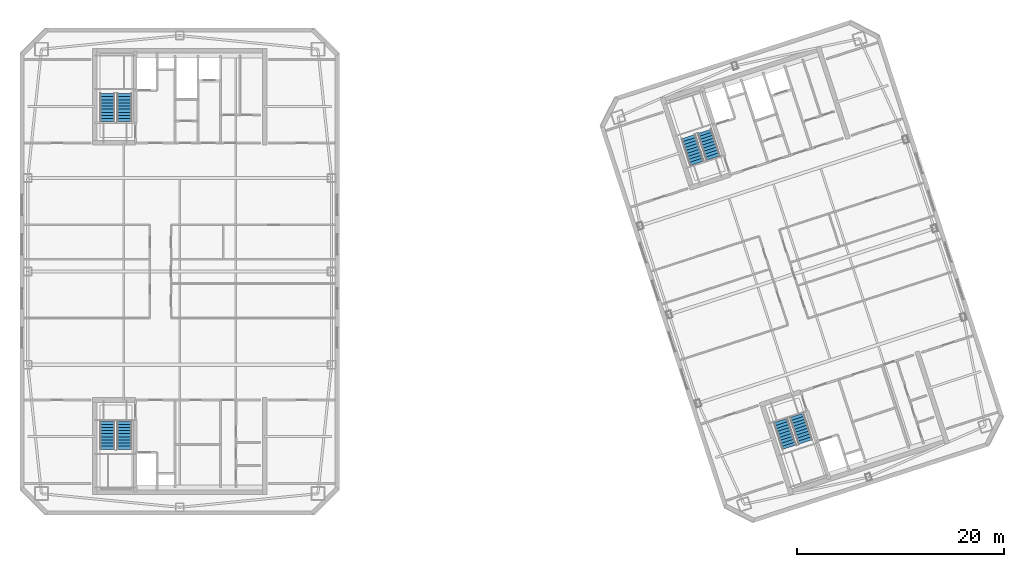
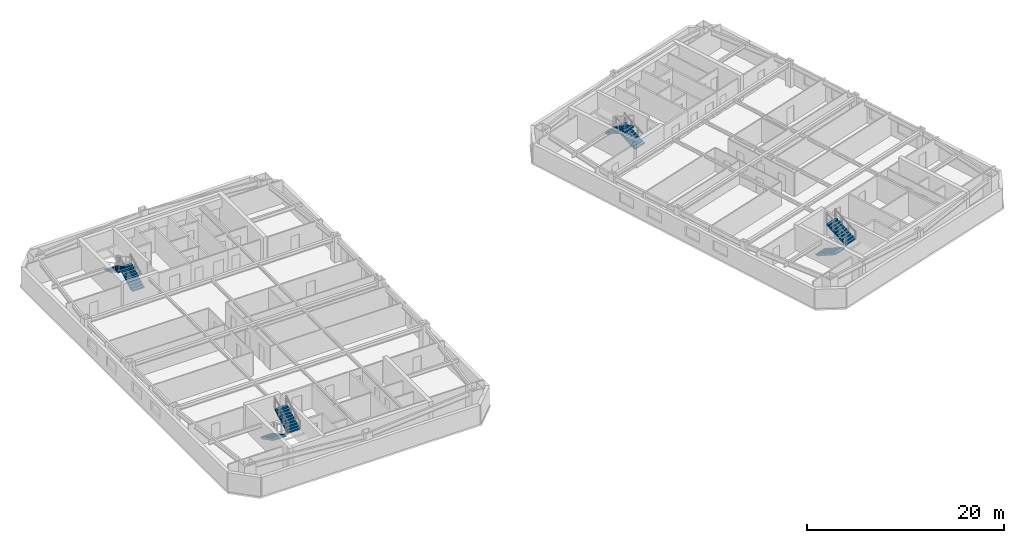
# One storey, part 11 of 13: 8 stair flights, 4 elements without a shape of their own.
"""IFC4 building model written with IfcOpenShell, lengths in metres."""

from ifc_helpers import new_model, si_unit, direction, frame, origin, place, context, subcontext, project, spatial, polyline, outline, extrude, material, type_object, element, aggregate, save


model = new_model("IFC4")

# Units and contexts
model_context = context("Model", 3, precision=1e-05, world=origin(), true_north=direction((0.0, 1.0)))
body_context = subcontext(model_context, "Body", "Model", "MODEL_VIEW")
ifc_project = project(units=[si_unit("LENGTHUNIT", "METRE"), si_unit("AREAUNIT", "SQUARE_METRE"), si_unit("VOLUMEUNIT", "CUBIC_METRE"), si_unit("PLANEANGLEUNIT", "RADIAN"), si_unit("MASSUNIT", "GRAM", prefix="KILO")], contexts=[model_context])

# Site, building, storey
site_placement = place(None, origin())
site = spatial("IfcSite", under=ifc_project, at=site_placement, CompositionType="ELEMENT")
building_placement = place(site_placement, origin())
building = spatial("IfcBuilding", under=site, at=building_placement, Name="Qiaolan Cultural Towers", CompositionType="ELEMENT")
storey_placement = place(building_placement, frame((0.0, 0.0, 234.39990234375)))
storey = spatial("IfcBuildingStorey", under=building, at=storey_placement, Name="L63", CompositionType="ELEMENT", Elevation=234.39990234375)

# Stair, stair flights
ifc_material_1 = material(Name="Concrete C45", Category="concrete")
stair_type = type_object("IfcStairType", Name="STR-CORE-1500", PredefinedType="HALF_TURN_STAIR", material=ifc_material_1)
stair_1_placement = place(storey_placement, origin())
stair_1 = element("IfcStair", 1, at=stair_1_placement, inside=storey, type_object=stair_type, Name="L63 Smokeproof Exit Stair ST-W1", PredefinedType="HALF_TURN_STAIR")
ifc_material_2 = material(Name="Concrete C45", Category="concrete")
stair_flight_type = type_object("IfcStairFlightType", Name="STR-CORE-1500-FL", PredefinedType="STRAIGHT", material=ifc_material_2)
stair_flight_1_placement = place(storey_placement, frame((23.02001953125, 19.550048828125, 0.0), z_axis=(0.0, 0.0, 1.0), x_axis=(0.0, -1.0, 0.0)))
stair_flight_1 = element("IfcStairFlight", 2, at=stair_flight_1_placement, type_object=stair_flight_type, Name="ST-W1 flight 1", NumberOfRisers=10, NumberOfTreads=9, PredefinedType="STRAIGHT", RiserHeight=0.16, TreadLength=0.3, context=body_context, shape_type="SweptSolid", body=[
    extrude(outline(polyline([(0.0, 0.0), (0.0, 0.159912109375), (0.300048828125, 0.159912109375), (0.300048828125, 0.320068359375), (0.60009765625, 0.320068359375), (0.60009765625, 0.47998046875), (0.89990234375, 0.47998046875), (0.89990234375, 0.639892578125), (1.199951171875, 0.639892578125), (1.199951171875, 0.800048828125), (1.5, 0.800048828125), (1.5, 0.9599609375), (1.800048828125, 0.9599609375), (1.800048828125, 1.1201171875), (2.10009765625, 1.1201171875), (2.10009765625, 1.280029296875), (2.39990234375, 1.280029296875), (2.39990234375, 1.43994140625), (2.699951171875, 1.43994140625), (2.699951171875, 1.60009765625), (2.699951171875, 1.27001953125), (0.318603515625, 0.0), (0.0, 0.0)])), frame((0.0, 0.719970703125, 0.0), z_axis=(0.0, -1.0, 0.0), x_axis=(1.0, 0.0, 0.0)), (0.0, 0.0, 1.0), 1.43994140625),
])
stair_flight_2_placement = place(storey_placement, frame((24.659912109375, 16.85009765625, 1.60009765625), z_axis=(0.0, 0.0, 1.0), x_axis=(0.0, 1.0, 0.0)))
stair_flight_2 = element("IfcStairFlight", 3, at=stair_flight_2_placement, type_object=stair_flight_type, Name="ST-W1 flight 2", NumberOfRisers=10, NumberOfTreads=9, PredefinedType="STRAIGHT", RiserHeight=0.16, TreadLength=0.3, context=body_context, shape_type="SweptSolid", body=[
    extrude(outline(polyline([(0.0, 0.0), (0.0, 0.159912109375), (0.300048828125, 0.159912109375), (0.300048828125, 0.320068359375), (0.60009765625, 0.320068359375), (0.60009765625, 0.47998046875), (0.89990234375, 0.47998046875), (0.89990234375, 0.639892578125), (1.199951171875, 0.639892578125), (1.199951171875, 0.800048828125), (1.5, 0.800048828125), (1.5, 0.9599609375), (1.800048828125, 0.9599609375), (1.800048828125, 1.1201171875), (2.10009765625, 1.1201171875), (2.10009765625, 1.280029296875), (2.39990234375, 1.280029296875), (2.39990234375, 1.43994140625), (2.699951171875, 1.43994140625), (2.699951171875, 1.60009765625), (2.699951171875, 1.27001953125), (0.318603515625, 0.0), (0.0, 0.0)])), frame((0.0, 0.719970703125, 0.0), z_axis=(0.0, -1.0, 0.0), x_axis=(1.0, 0.0, 0.0)), (0.0, 0.0, 1.0), 1.43994140625),
])
aggregate(stair_1, [stair_flight_1, stair_flight_2])

stair_2_placement = place(storey_placement, origin())
stair_2 = element("IfcStair", 4, at=stair_2_placement, inside=storey, type_object=stair_type, Name="L63 Smokeproof Exit Stair ST-W2", PredefinedType="HALF_TURN_STAIR")
stair_flight_3_placement = place(storey_placement, frame((24.659912109375, 48.449951171875, 0.0), z_axis=(0.0, 0.0, 1.0), x_axis=(0.0, 1.0, 0.0)))
stair_flight_3 = element("IfcStairFlight", 5, at=stair_flight_3_placement, type_object=stair_flight_type, Name="ST-W2 flight 1", NumberOfRisers=10, NumberOfTreads=9, PredefinedType="STRAIGHT", RiserHeight=0.16, TreadLength=0.3, context=body_context, shape_type="SweptSolid", body=[
    extrude(outline(polyline([(0.0, 0.0), (0.0, 0.159912109375), (0.300048828125, 0.159912109375), (0.300048828125, 0.320068359375), (0.60009765625, 0.320068359375), (0.60009765625, 0.47998046875), (0.89990234375, 0.47998046875), (0.89990234375, 0.639892578125), (1.199951171875, 0.639892578125), (1.199951171875, 0.800048828125), (1.5, 0.800048828125), (1.5, 0.9599609375), (1.800048828125, 0.9599609375), (1.800048828125, 1.1201171875), (2.10009765625, 1.1201171875), (2.10009765625, 1.280029296875), (2.39990234375, 1.280029296875), (2.39990234375, 1.43994140625), (2.699951171875, 1.43994140625), (2.699951171875, 1.60009765625), (2.699951171875, 1.27001953125), (0.318603515625, 0.0), (0.0, 0.0)])), frame((0.0, 0.719970703125, 0.0), z_axis=(0.0, -1.0, 0.0), x_axis=(1.0, 0.0, 0.0)), (0.0, 0.0, 1.0), 1.43994140625),
])
stair_flight_4_placement = place(storey_placement, frame((23.02001953125, 51.14990234375, 1.60009765625), z_axis=(0.0, 0.0, 1.0), x_axis=(0.0, -1.0, 0.0)))
stair_flight_4 = element("IfcStairFlight", 6, at=stair_flight_4_placement, type_object=stair_flight_type, Name="ST-W2 flight 2", NumberOfRisers=10, NumberOfTreads=9, PredefinedType="STRAIGHT", RiserHeight=0.16, TreadLength=0.3, context=body_context, shape_type="SweptSolid", body=[
    extrude(outline(polyline([(0.0, 0.0), (0.0, 0.159912109375), (0.300048828125, 0.159912109375), (0.300048828125, 0.320068359375), (0.60009765625, 0.320068359375), (0.60009765625, 0.47998046875), (0.89990234375, 0.47998046875), (0.89990234375, 0.639892578125), (1.199951171875, 0.639892578125), (1.199951171875, 0.800048828125), (1.5, 0.800048828125), (1.5, 0.9599609375), (1.800048828125, 0.9599609375), (1.800048828125, 1.1201171875), (2.10009765625, 1.1201171875), (2.10009765625, 1.280029296875), (2.39990234375, 1.280029296875), (2.39990234375, 1.43994140625), (2.699951171875, 1.43994140625), (2.699951171875, 1.60009765625), (2.699951171875, 1.27001953125), (0.318603515625, 0.0), (0.0, 0.0)])), frame((0.0, 0.719970703125, 0.0), z_axis=(0.0, -1.0, 0.0), x_axis=(1.0, 0.0, 0.0)), (0.0, 0.0, 1.0), 1.43994140625),
])
aggregate(stair_2, [stair_flight_3, stair_flight_4])

stair_3_placement = place(storey_placement, origin())
stair_3 = element("IfcStair", 7, at=stair_3_placement, inside=storey, type_object=stair_type, Name="L63 Smokeproof Exit Stair ST-E1", PredefinedType="HALF_TURN_STAIR")
stair_flight_5_placement = place(storey_placement, frame((87.96484375, 19.6171875, 0.0), z_axis=(0.0, 0.0, 1.0), x_axis=(0.309016994375, -0.951056516295, 0.0)))
stair_flight_5 = element("IfcStairFlight", 8, at=stair_flight_5_placement, type_object=stair_flight_type, Name="ST-E1 flight 1", NumberOfRisers=10, NumberOfTreads=9, PredefinedType="STRAIGHT", RiserHeight=0.16, TreadLength=0.3, context=body_context, shape_type="SweptSolid", body=[
    extrude(outline(polyline([(0.0, 0.0), (0.0, 0.159912109375), (0.300048828125, 0.159912109375), (0.300048828125, 0.320068359375), (0.60009765625, 0.320068359375), (0.60009765625, 0.47998046875), (0.89990234375, 0.47998046875), (0.89990234375, 0.639892578125), (1.199951171875, 0.639892578125), (1.199951171875, 0.800048828125), (1.5, 0.800048828125), (1.5, 0.9599609375), (1.800048828125, 0.9599609375), (1.800048828125, 1.1201171875), (2.10009765625, 1.1201171875), (2.10009765625, 1.280029296875), (2.39990234375, 1.280029296875), (2.39990234375, 1.43994140625), (2.699951171875, 1.43994140625), (2.699951171875, 1.60009765625), (2.699951171875, 1.27001953125), (0.318603515625, 0.0), (0.0, 0.0)])), frame((0.0, 0.719970703125, 0.0), z_axis=(0.0, -1.0, 0.0), x_axis=(1.0, 0.0, 0.0)), (0.0, 0.0, 1.0), 1.43994140625),
])
stair_flight_6_placement = place(storey_placement, frame((90.359130859375, 17.55615234375, 1.60009765625), z_axis=(0.0, 0.0, 1.0), x_axis=(-0.309016994375, 0.951056516295, 0.0)))
stair_flight_6 = element("IfcStairFlight", 9, at=stair_flight_6_placement, type_object=stair_flight_type, Name="ST-E1 flight 2", NumberOfRisers=10, NumberOfTreads=9, PredefinedType="STRAIGHT", RiserHeight=0.16, TreadLength=0.3, context=body_context, shape_type="SweptSolid", body=[
    extrude(outline(polyline([(0.0, 0.0), (0.0, 0.159912109375), (0.300048828125, 0.159912109375), (0.300048828125, 0.320068359375), (0.60009765625, 0.320068359375), (0.60009765625, 0.47998046875), (0.89990234375, 0.47998046875), (0.89990234375, 0.639892578125), (1.199951171875, 0.639892578125), (1.199951171875, 0.800048828125), (1.5, 0.800048828125), (1.5, 0.9599609375), (1.800048828125, 0.9599609375), (1.800048828125, 1.1201171875), (2.10009765625, 1.1201171875), (2.10009765625, 1.280029296875), (2.39990234375, 1.280029296875), (2.39990234375, 1.43994140625), (2.699951171875, 1.43994140625), (2.699951171875, 1.60009765625), (2.699951171875, 1.27001953125), (0.318603515625, 0.0), (0.0, 0.0)])), frame((0.0, 0.719970703125, 0.0), z_axis=(0.0, -1.0, 0.0), x_axis=(1.0, 0.0, 0.0)), (0.0, 0.0, 1.0), 1.43994140625),
])
aggregate(stair_3, [stair_flight_5, stair_flight_6])

stair_4_placement = place(storey_placement, origin())
stair_4 = element("IfcStair", 10, at=stair_4_placement, inside=storey, type_object=stair_type, Name="L63 Smokeproof Exit Stair ST-E2", PredefinedType="HALF_TURN_STAIR")
stair_flight_7_placement = place(storey_placement, frame((81.459228515625, 44.946533203125, 0.0), z_axis=(0.0, 0.0, 1.0), x_axis=(-0.309016994375, 0.951056516295, 0.0)))
stair_flight_7 = element("IfcStairFlight", 11, at=stair_flight_7_placement, type_object=stair_flight_type, Name="ST-E2 flight 1", NumberOfRisers=10, NumberOfTreads=9, PredefinedType="STRAIGHT", RiserHeight=0.16, TreadLength=0.3, context=body_context, shape_type="SweptSolid", body=[
    extrude(outline(polyline([(0.0, 0.0), (0.0, 0.159912109375), (0.300048828125, 0.159912109375), (0.300048828125, 0.320068359375), (0.60009765625, 0.320068359375), (0.60009765625, 0.47998046875), (0.89990234375, 0.47998046875), (0.89990234375, 0.639892578125), (1.199951171875, 0.639892578125), (1.199951171875, 0.800048828125), (1.5, 0.800048828125), (1.5, 0.9599609375), (1.800048828125, 0.9599609375), (1.800048828125, 1.1201171875), (2.10009765625, 1.1201171875), (2.10009765625, 1.280029296875), (2.39990234375, 1.280029296875), (2.39990234375, 1.43994140625), (2.699951171875, 1.43994140625), (2.699951171875, 1.60009765625), (2.699951171875, 1.27001953125), (0.318603515625, 0.0), (0.0, 0.0)])), frame((0.0, 0.719970703125, 0.0), z_axis=(0.0, -1.0, 0.0), x_axis=(1.0, 0.0, 0.0)), (0.0, 0.0, 1.0), 1.43994140625),
])
stair_flight_8_placement = place(storey_placement, frame((79.065185546875, 47.007568359375, 1.60009765625), z_axis=(0.0, 0.0, 1.0), x_axis=(0.309016994375, -0.951056516295, 0.0)))
stair_flight_8 = element("IfcStairFlight", 12, at=stair_flight_8_placement, type_object=stair_flight_type, Name="ST-E2 flight 2", NumberOfRisers=10, NumberOfTreads=9, PredefinedType="STRAIGHT", RiserHeight=0.16, TreadLength=0.3, context=body_context, shape_type="SweptSolid", body=[
    extrude(outline(polyline([(0.0, 0.0), (0.0, 0.159912109375), (0.300048828125, 0.159912109375), (0.300048828125, 0.320068359375), (0.60009765625, 0.320068359375), (0.60009765625, 0.47998046875), (0.89990234375, 0.47998046875), (0.89990234375, 0.639892578125), (1.199951171875, 0.639892578125), (1.199951171875, 0.800048828125), (1.5, 0.800048828125), (1.5, 0.9599609375), (1.800048828125, 0.9599609375), (1.800048828125, 1.1201171875), (2.10009765625, 1.1201171875), (2.10009765625, 1.280029296875), (2.39990234375, 1.280029296875), (2.39990234375, 1.43994140625), (2.699951171875, 1.43994140625), (2.699951171875, 1.60009765625), (2.699951171875, 1.27001953125), (0.318603515625, 0.0), (0.0, 0.0)])), frame((0.0, 0.719970703125, 0.0), z_axis=(0.0, -1.0, 0.0), x_axis=(1.0, 0.0, 0.0)), (0.0, 0.0, 1.0), 1.43994140625),
])
aggregate(stair_4, [stair_flight_7, stair_flight_8])

save(model, "model.ifc")
